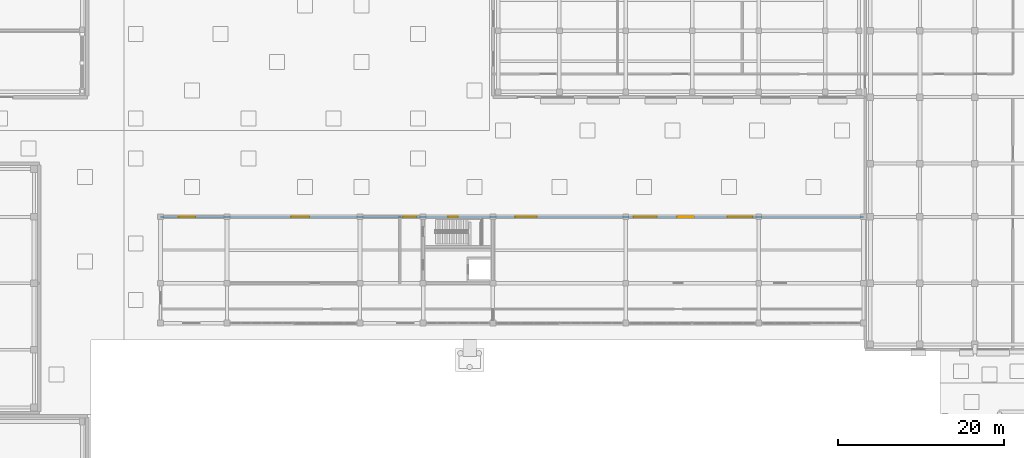
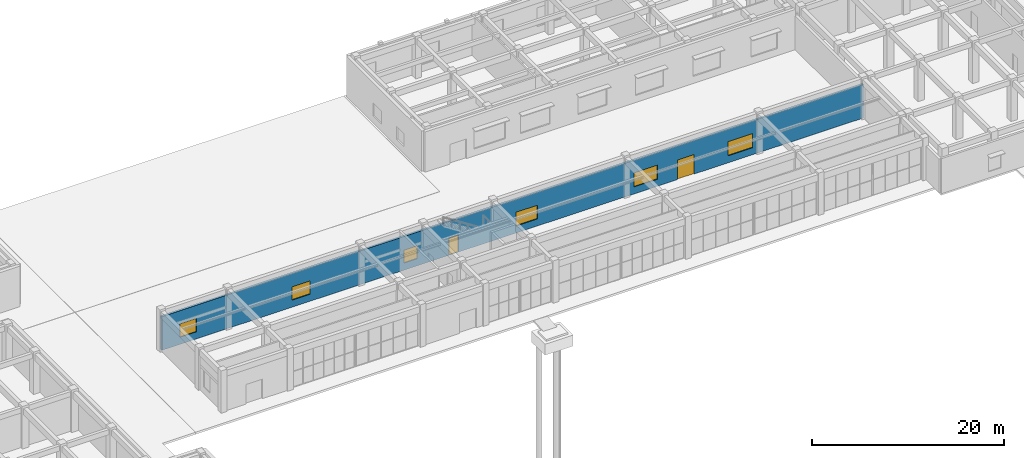
# One storey, part 32 of 46: 6 windows, 2 doors, 1 wall, 8 openings.
"""IFC4 building model written with IfcOpenShell, lengths in metres."""

from ifc_helpers import new_model, si_unit, direction, frame, frame_2d, origin, place, context, subcontext, project, spatial, rectangle, extrude, material, layer, layer_set, type_object, element, fill, save


model = new_model("IFC4")

# Units and contexts
model_context = context("Model", 3, precision=1e-05, world=origin(), true_north=direction((0.0, 1.0)))
body_context = subcontext(model_context, "Body", "Model", "MODEL_VIEW")
ifc_project = project(units=[si_unit("LENGTHUNIT", "METRE"), si_unit("AREAUNIT", "SQUARE_METRE"), si_unit("VOLUMEUNIT", "CUBIC_METRE"), si_unit("PLANEANGLEUNIT", "RADIAN"), si_unit("MASSUNIT", "GRAM", prefix="KILO")], contexts=[model_context])

# Site, building, storey
site_placement = place(None, origin())
site = spatial("IfcSite", under=ifc_project, at=site_placement, CompositionType="ELEMENT")
building_placement = place(site_placement, origin())
building = spatial("IfcBuilding", under=site, at=building_placement, Name="Cinchona Park Media Centre", CompositionType="ELEMENT")
storey_placement = place(building_placement, origin())
storey = spatial("IfcBuildingStorey", under=building, at=storey_placement, Name="L00", CompositionType="ELEMENT", Elevation=0.0)

# Wall, openings, doors, windows
ifc_material_1 = material(Name="Precast concrete C40/50", Category="concrete")
ifc_layer = layer(ifc_material_1, 0.25)
ifc_layer_set = layer_set([ifc_layer], Name="Precast concrete C40/50")
wall_type = type_object("IfcWallType", Name="WALL-W-EX04", PredefinedType="SOLIDWALL", material=ifc_layer_set)
wall_placement = place(storey_placement, frame((54.800048828125, 87.60009765625, 0.0), z_axis=(0.0, 0.0, 1.0), x_axis=(1.0, 0.0, 0.0)))
wall = element("IfcWall", 1, at=wall_placement, inside=storey, type_object=wall_type, Name="Exterior Wall W-EX04 V5 L00", PredefinedType="SOLIDWALL", context=body_context, shape_type="SweptSolid", body=[
    extrude(rectangle(XDim=84.599853515625, YDim=0.25, at=frame_2d((42.2998046875, 0.0))), origin(), (0.0, 0.0, 1.0), 4.2900390625),
])
opening_1_placement = place(wall_placement, frame((34.625, 0.0, 0.0)))
opening_1 = element("IfcOpeningElement", 2, at=opening_1_placement, cuts=wall, Name="Opening D005", PredefinedType="OPENING", context=body_context, shape_type="SweptSolid", body=[
    extrude(rectangle(XDim=1.14990234375, YDim=2.199951171875, at=frame_2d((0.574951171875, 1.10009765625))), frame((0.0, 0.135009765625, 0.0), z_axis=(0.0, -1.0, 0.0), x_axis=(1.0, 0.0, 0.0)), (0.0, 0.0, 1.0), 0.27001953125),
])
opening_2_placement = place(wall_placement, frame((62.199951171875, 0.0, 0.0)))
opening_2 = element("IfcOpeningElement", 3, at=opening_2_placement, cuts=wall, Name="Opening D015", PredefinedType="OPENING", context=body_context, shape_type="SweptSolid", body=[
    extrude(rectangle(XDim=2.0, YDim=2.5, at=frame_2d((1.0, 1.25))), frame((0.0, 0.135009765625, 0.0), z_axis=(0.0, -1.0, 0.0), x_axis=(1.0, 0.0, 0.0)), (0.0, 0.0, 1.0), 0.27001953125),
])
opening_3_placement = place(wall_placement, frame((2.199951171875, 0.0, 0.89990234375)))
opening_3 = element("IfcOpeningElement", 4, at=opening_3_placement, cuts=wall, Name="Opening WN27", PredefinedType="OPENING", context=body_context, shape_type="SweptSolid", body=[
    extrude(rectangle(XDim=2.0, YDim=1.699951171875, at=frame_2d((1.0, 0.85009765625))), frame((0.0, 0.135009765625, 0.0), z_axis=(0.0, -1.0, 0.0), x_axis=(1.0, 0.0, 0.0)), (0.0, 0.0, 1.0), 0.27001953125),
])
opening_4_placement = place(wall_placement, frame((15.699951171875, 0.0, 0.89990234375)))
opening_4 = element("IfcOpeningElement", 5, at=opening_4_placement, cuts=wall, Name="Opening WN28", PredefinedType="OPENING", context=body_context, shape_type="SweptSolid", body=[
    extrude(rectangle(XDim=2.199951171875, YDim=1.699951171875, at=frame_2d((1.10009765625, 0.85009765625))), frame((0.0, 0.135009765625, 0.0), z_axis=(0.0, -1.0, 0.0), x_axis=(1.0, 0.0, 0.0)), (0.0, 0.0, 1.0), 0.27001953125),
])
opening_5_placement = place(wall_placement, frame((29.199951171875, 0.0, 0.89990234375)))
opening_5 = element("IfcOpeningElement", 6, at=opening_5_placement, cuts=wall, Name="Opening WN25", PredefinedType="OPENING", context=body_context, shape_type="SweptSolid", body=[
    extrude(rectangle(XDim=1.60009765625, YDim=1.64990234375, at=frame_2d((0.800048828125, 0.824951171875))), frame((0.0, 0.135009765625, 0.0), z_axis=(0.0, -1.0, 0.0), x_axis=(1.0, 0.0, 0.0)), (0.0, 0.0, 1.0), 0.27001953125),
])
opening_6_placement = place(wall_placement, frame((42.699951171875, 0.0, 0.89990234375)))
opening_6 = element("IfcOpeningElement", 7, at=opening_6_placement, cuts=wall, Name="Opening WN30", PredefinedType="OPENING", context=body_context, shape_type="SweptSolid", body=[
    extrude(rectangle(XDim=2.60009765625, YDim=1.75, at=frame_2d((1.300048828125, 0.875))), frame((0.0, 0.135009765625, 0.0), z_axis=(0.0, -1.0, 0.0), x_axis=(1.0, 0.0, 0.0)), (0.0, 0.0, 1.0), 0.27001953125),
])
opening_7_placement = place(wall_placement, frame((56.949951171875, 0.0, 0.89990234375)))
opening_7 = element("IfcOpeningElement", 8, at=opening_7_placement, cuts=wall, Name="Opening WN31", PredefinedType="OPENING", context=body_context, shape_type="SweptSolid", body=[
    extrude(rectangle(XDim=2.800048828125, YDim=1.800048828125, at=frame_2d((1.39990234375, 0.89990234375))), frame((0.0, 0.135009765625, 0.0), z_axis=(0.0, -1.0, 0.0), x_axis=(1.0, 0.0, 0.0)), (0.0, 0.0, 1.0), 0.27001953125),
])
opening_8_placement = place(wall_placement, frame((68.25, 0.0, 0.89990234375)))
opening_8 = element("IfcOpeningElement", 9, at=opening_8_placement, cuts=wall, Name="Opening WN32", PredefinedType="OPENING", context=body_context, shape_type="SweptSolid", body=[
    extrude(rectangle(XDim=3.0, YDim=1.800048828125, at=frame_2d((1.5, 0.89990234375))), frame((0.0, 0.135009765625, 0.0), z_axis=(0.0, -1.0, 0.0), x_axis=(1.0, 0.0, 0.0)), (0.0, 0.0, 1.0), 0.27001953125),
])
ifc_material_2 = material(Name="Insulated Steel and Laminated Glass Door", Category="steel")
door_type_1 = type_object("IfcDoorType", Name="DOOR-DT-EX2", OperationType="NOTDEFINED", PredefinedType="DOOR", material=ifc_material_2)
door_1_placement = place(opening_2_placement, origin())
door_1 = element("IfcDoor", 10, at=door_1_placement, inside=storey, type_object=door_type_1, Name="Exterior Door D015", OperationType="DOUBLE_SWING_LEFT", OverallHeight=2.5, OverallWidth=2.0, PredefinedType="DOOR", context=body_context, shape_type="SweptSolid", body=[
    extrude(rectangle(XDim=2.0, YDim=2.5, at=frame_2d((1.0, 1.25))), frame((0.0, 0.02490234375, 0.0), z_axis=(0.0, -1.0, 0.0), x_axis=(1.0, 0.0, 0.0)), (0.0, 0.0, 1.0), 0.050048828125),
])
fill(opening_2, door_1)
ifc_material_3 = material(Name="Insulated Steel and Laminated Glass Door", Category="steel")
door_type_2 = type_object("IfcDoorType", Name="DOOR-DT-EX3", OperationType="NOTDEFINED", PredefinedType="DOOR", material=ifc_material_3)
door_2_placement = place(opening_1_placement, origin())
door_2 = element("IfcDoor", 11, at=door_2_placement, inside=storey, type_object=door_type_2, Name="Exterior Door D005", OperationType="SINGLE_SWING_LEFT", OverallHeight=2.199951171875, OverallWidth=1.14990234375, PredefinedType="DOOR", context=body_context, shape_type="SweptSolid", body=[
    extrude(rectangle(XDim=1.14990234375, YDim=2.199951171875, at=frame_2d((0.574951171875, 1.10009765625))), frame((0.0, 0.02490234375, 0.0), z_axis=(0.0, -1.0, 0.0), x_axis=(1.0, 0.0, 0.0)), (0.0, 0.0, 1.0), 0.050048828125),
])
fill(opening_1, door_2)
ifc_material_4 = material(Name="Thermally Broken Aluminium Solar-Control Window", Category="aluminium")
window_type_1 = type_object("IfcWindowType", Name="WIN-WN25", PartitioningType="SINGLE_PANEL", PredefinedType="WINDOW", material=ifc_material_4)
window_1_placement = place(opening_5_placement, origin())
window_1 = element("IfcWindow", 12, at=window_1_placement, inside=storey, type_object=window_type_1, Name="Window WN25 L00", OverallHeight=1.64990234375, OverallWidth=1.60009765625, PartitioningType="SINGLE_PANEL", PredefinedType="WINDOW", context=body_context, shape_type="SweptSolid", body=[
    extrude(rectangle(XDim=1.60009765625, YDim=1.64990234375, at=frame_2d((0.800048828125, 0.824951171875))), frame((0.0, 0.030029296875, 0.0), z_axis=(0.0, -1.0, 0.0), x_axis=(1.0, 0.0, 0.0)), (0.0, 0.0, 1.0), 0.06005859375),
])
fill(opening_5, window_1)
ifc_material_5 = material(Name="Thermally Broken Aluminium Solar-Control Window", Category="aluminium")
window_type_2 = type_object("IfcWindowType", Name="WIN-WN27", PartitioningType="SINGLE_PANEL", PredefinedType="WINDOW", material=ifc_material_5)
window_2_placement = place(opening_3_placement, origin())
window_2 = element("IfcWindow", 13, at=window_2_placement, inside=storey, type_object=window_type_2, Name="Window WN27 L00", OverallHeight=1.699951171875, OverallWidth=2.0, PartitioningType="SINGLE_PANEL", PredefinedType="WINDOW", context=body_context, shape_type="SweptSolid", body=[
    extrude(rectangle(XDim=2.0, YDim=1.699951171875, at=frame_2d((1.0, 0.85009765625))), frame((0.0, 0.030029296875, 0.0), z_axis=(0.0, -1.0, 0.0), x_axis=(1.0, 0.0, 0.0)), (0.0, 0.0, 1.0), 0.06005859375),
])
fill(opening_3, window_2)
ifc_material_6 = material(Name="Thermally Broken Aluminium Solar-Control Window", Category="aluminium")
window_type_3 = type_object("IfcWindowType", Name="WIN-WN28", PartitioningType="SINGLE_PANEL", PredefinedType="WINDOW", material=ifc_material_6)
window_3_placement = place(opening_4_placement, origin())
window_3 = element("IfcWindow", 14, at=window_3_placement, inside=storey, type_object=window_type_3, Name="Window WN28 L00", OverallHeight=1.699951171875, OverallWidth=2.199951171875, PartitioningType="SINGLE_PANEL", PredefinedType="WINDOW", context=body_context, shape_type="SweptSolid", body=[
    extrude(rectangle(XDim=2.199951171875, YDim=1.699951171875, at=frame_2d((1.10009765625, 0.85009765625))), frame((0.0, 0.030029296875, 0.0), z_axis=(0.0, -1.0, 0.0), x_axis=(1.0, 0.0, 0.0)), (0.0, 0.0, 1.0), 0.06005859375),
])
fill(opening_4, window_3)
ifc_material_7 = material(Name="Thermally Broken Aluminium Solar-Control Window", Category="aluminium")
window_type_4 = type_object("IfcWindowType", Name="WIN-WN30", PartitioningType="SINGLE_PANEL", PredefinedType="WINDOW", material=ifc_material_7)
window_4_placement = place(opening_6_placement, origin())
window_4 = element("IfcWindow", 15, at=window_4_placement, inside=storey, type_object=window_type_4, Name="Window WN30 L00", OverallHeight=1.75, OverallWidth=2.60009765625, PartitioningType="SINGLE_PANEL", PredefinedType="WINDOW", context=body_context, shape_type="SweptSolid", body=[
    extrude(rectangle(XDim=2.60009765625, YDim=1.75, at=frame_2d((1.300048828125, 0.875))), frame((0.0, 0.030029296875, 0.0), z_axis=(0.0, -1.0, 0.0), x_axis=(1.0, 0.0, 0.0)), (0.0, 0.0, 1.0), 0.06005859375),
])
fill(opening_6, window_4)
ifc_material_8 = material(Name="Thermally Broken Aluminium Solar-Control Window", Category="aluminium")
window_type_5 = type_object("IfcWindowType", Name="WIN-WN31", PartitioningType="SINGLE_PANEL", PredefinedType="WINDOW", material=ifc_material_8)
window_5_placement = place(opening_7_placement, origin())
window_5 = element("IfcWindow", 16, at=window_5_placement, inside=storey, type_object=window_type_5, Name="Window WN31 L00", OverallHeight=1.800048828125, OverallWidth=2.800048828125, PartitioningType="SINGLE_PANEL", PredefinedType="WINDOW", context=body_context, shape_type="SweptSolid", body=[
    extrude(rectangle(XDim=2.800048828125, YDim=1.800048828125, at=frame_2d((1.39990234375, 0.89990234375))), frame((0.0, 0.030029296875, 0.0), z_axis=(0.0, -1.0, 0.0), x_axis=(1.0, 0.0, 0.0)), (0.0, 0.0, 1.0), 0.06005859375),
])
fill(opening_7, window_5)
ifc_material_9 = material(Name="Thermally Broken Aluminium Solar-Control Window", Category="aluminium")
window_type_6 = type_object("IfcWindowType", Name="WIN-WN32", PartitioningType="SINGLE_PANEL", PredefinedType="WINDOW", material=ifc_material_9)
window_6_placement = place(opening_8_placement, origin())
window_6 = element("IfcWindow", 17, at=window_6_placement, inside=storey, type_object=window_type_6, Name="Window WN32 L00", OverallHeight=1.800048828125, OverallWidth=3.0, PartitioningType="SINGLE_PANEL", PredefinedType="WINDOW", context=body_context, shape_type="SweptSolid", body=[
    extrude(rectangle(XDim=3.0, YDim=1.800048828125, at=frame_2d((1.5, 0.89990234375))), frame((0.0, 0.030029296875, 0.0), z_axis=(0.0, -1.0, 0.0), x_axis=(1.0, 0.0, 0.0)), (0.0, 0.0, 1.0), 0.06005859375),
])
fill(opening_8, window_6)

save(model, "model.ifc")
